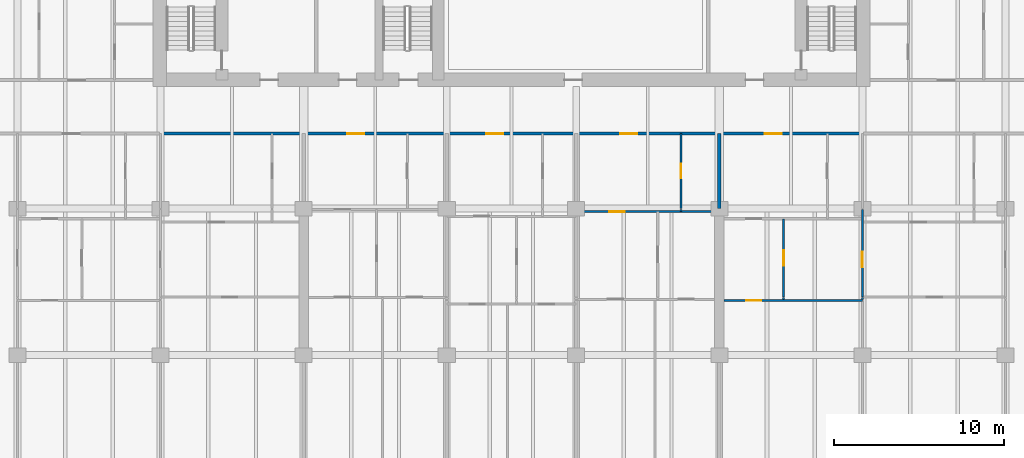
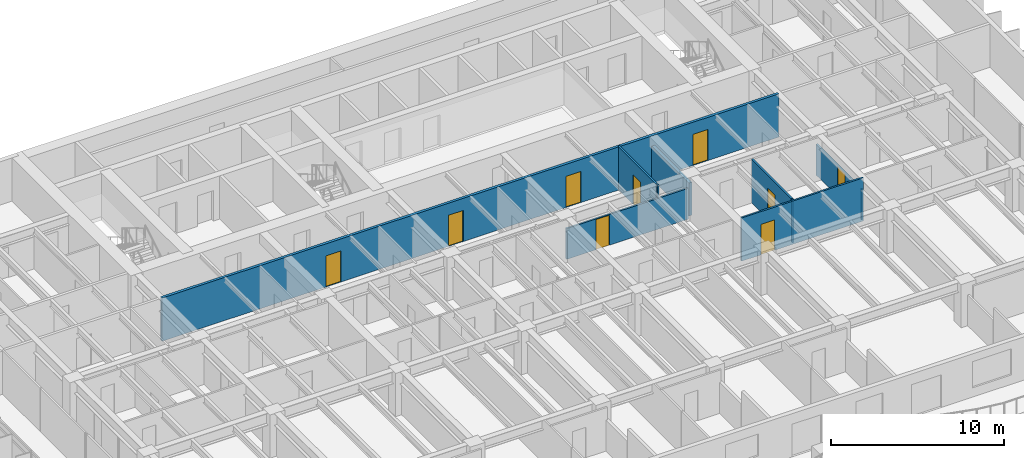
# One storey, part 10 of 19: 10 walls, 9 doors, 9 openings.
"""IFC4 building model written with IfcOpenShell, lengths in metres."""

from ifc_helpers import new_model, si_unit, direction, frame, frame_2d, origin, place, context, subcontext, project, spatial, rectangle, extrude, material, layer, layer_set, type_object, element, fill, save


model = new_model("IFC4")

# Units and contexts
model_context = context("Model", 3, precision=1e-05, world=origin(), true_north=direction((0.0, 1.0)))
body_context = subcontext(model_context, "Body", "Model", "MODEL_VIEW")
ifc_project = project(units=[si_unit("LENGTHUNIT", "METRE"), si_unit("AREAUNIT", "SQUARE_METRE"), si_unit("VOLUMEUNIT", "CUBIC_METRE"), si_unit("PLANEANGLEUNIT", "RADIAN"), si_unit("MASSUNIT", "GRAM", prefix="KILO")], contexts=[model_context])

# Site, building, storey
site_placement = place(None, origin())
site = spatial("IfcSite", under=ifc_project, at=site_placement, CompositionType="ELEMENT")
building_placement = place(site_placement, origin())
building = spatial("IfcBuilding", under=site, at=building_placement, Name="Caelmar Bay Residences", CompositionType="ELEMENT")
storey_placement = place(building_placement, frame((0.0, 0.0, 91.199951171875)))
storey = spatial("IfcBuildingStorey", under=building, at=storey_placement, Name="L24", CompositionType="ELEMENT", Elevation=91.199951171875)

# Wall, openings, doors
ifc_material_1 = material(Name="Double-stud acoustic fire-rated gypsum partition 180 mm")
ifc_layer_1 = layer(ifc_material_1, 0.179931640625)
ifc_layer_set_1 = layer_set([ifc_layer_1], Name="Double-stud acoustic fire-rated gypsum partition 180 mm")
wall_type_1 = type_object("IfcWallType", Name="W-COR-200", PredefinedType="PARTITIONING", material=ifc_layer_set_1)
wall_1_placement = place(storey_placement, frame((18.300048828125, 33.800048828125, 0.0), z_axis=(0.0, 0.0, 1.0), x_axis=(1.0, 0.0, 0.0)))
wall_1 = element("IfcWall", 1, at=wall_1_placement, inside=storey, type_object=wall_type_1, Name="L24 Partition Wall H120", PredefinedType="PARTITIONING", context=body_context, shape_type="SweptSolid", body=[
    extrude(rectangle(XDim=41.199951171875, YDim=0.179931640625, at=frame_2d((20.60009765625, 0.0))), origin(), (0.0, 0.0, 1.0), 3.050048828125),
])
opening_1_placement = place(wall_1_placement, frame((10.945556640625, 0.0, 0.0)))
opening_1 = element("IfcOpeningElement", 2, at=opening_1_placement, cuts=wall_1, Name="Opening D-L24-130", PredefinedType="OPENING", context=body_context, shape_type="SweptSolid", body=[
    extrude(rectangle(XDim=1.0, YDim=2.199951171875, at=frame_2d((0.5, 1.10009765625))), frame((0.0, 0.099853515625, 0.0), z_axis=(0.0, -1.0, 0.0), x_axis=(1.0, 0.0, 0.0)), (0.0, 0.0, 1.0), 0.199951171875),
])
opening_2_placement = place(wall_1_placement, frame((19.112548828125, 0.0, 0.0)))
opening_2 = element("IfcOpeningElement", 3, at=opening_2_placement, cuts=wall_1, Name="Opening D-L24-137", PredefinedType="OPENING", context=body_context, shape_type="SweptSolid", body=[
    extrude(rectangle(XDim=1.0, YDim=2.199951171875, at=frame_2d((0.5, 1.10009765625))), frame((0.0, 0.099853515625, 0.0), z_axis=(0.0, -1.0, 0.0), x_axis=(1.0, 0.0, 0.0)), (0.0, 0.0, 1.0), 0.199951171875),
])
opening_3_placement = place(wall_1_placement, frame((26.9755859375, 0.0, 0.0)))
opening_3 = element("IfcOpeningElement", 4, at=opening_3_placement, cuts=wall_1, Name="Opening D-L24-144", PredefinedType="OPENING", context=body_context, shape_type="SweptSolid", body=[
    extrude(rectangle(XDim=1.0, YDim=2.199951171875, at=frame_2d((0.5, 1.10009765625))), frame((0.0, 0.099853515625, 0.0), z_axis=(0.0, -1.0, 0.0), x_axis=(1.0, 0.0, 0.0)), (0.0, 0.0, 1.0), 0.199951171875),
])
opening_4_placement = place(wall_1_placement, frame((35.469970703125, 0.0, 0.0)))
opening_4 = element("IfcOpeningElement", 5, at=opening_4_placement, cuts=wall_1, Name="Opening D-L24-151", PredefinedType="OPENING", context=body_context, shape_type="SweptSolid", body=[
    extrude(rectangle(XDim=1.0, YDim=2.199951171875, at=frame_2d((0.5, 1.10009765625))), frame((0.0, 0.099853515625, 0.0), z_axis=(0.0, -1.0, 0.0), x_axis=(1.0, 0.0, 0.0)), (0.0, 0.0, 1.0), 0.199951171875),
])
ifc_material_2 = material(Name="Fire-rated steel and walnut architectural door assembly", Category="steel")
ifc_layer_2 = layer(ifc_material_2, 0.050048828125)
ifc_layer_set_2 = layer_set([ifc_layer_2], Name="Fire-rated steel and walnut architectural door assembly")
door_type_1 = type_object("IfcDoorType", Name="D-UNIT-1000", OperationType="NOTDEFINED", PredefinedType="DOOR", material=ifc_layer_set_2)
door_1_placement = place(opening_1_placement, origin())
door_1 = element("IfcDoor", 6, at=door_1_placement, inside=storey, type_object=door_type_1, Name="L24 Residence 02 Apartment Hall Door", OperationType="SINGLE_SWING_LEFT", OverallHeight=2.199951171875, OverallWidth=1.0, PredefinedType="DOOR", context=body_context, shape_type="SweptSolid", body=[
    extrude(rectangle(XDim=1.0, YDim=2.199951171875, at=frame_2d((0.5, 1.10009765625))), frame((0.0, 0.02490234375, 0.0), z_axis=(0.0, -1.0, 0.0), x_axis=(1.0, 0.0, 0.0)), (0.0, 0.0, 1.0), 0.050048828125),
])
fill(opening_1, door_1)
door_2_placement = place(opening_2_placement, origin())
door_2 = element("IfcDoor", 7, at=door_2_placement, inside=storey, type_object=door_type_1, Name="L24 Residence 03 Apartment Hall Door", OperationType="SINGLE_SWING_RIGHT", OverallHeight=2.199951171875, OverallWidth=1.0, PredefinedType="DOOR", context=body_context, shape_type="SweptSolid", body=[
    extrude(rectangle(XDim=1.0, YDim=2.199951171875, at=frame_2d((0.5, 1.10009765625))), frame((0.0, 0.02490234375, 0.0), z_axis=(0.0, -1.0, 0.0), x_axis=(1.0, 0.0, 0.0)), (0.0, 0.0, 1.0), 0.050048828125),
])
fill(opening_2, door_2)
door_3_placement = place(opening_3_placement, origin())
door_3 = element("IfcDoor", 8, at=door_3_placement, inside=storey, type_object=door_type_1, Name="L24 Residence 04 Apartment Hall Door", OperationType="SINGLE_SWING_LEFT", OverallHeight=2.199951171875, OverallWidth=1.0, PredefinedType="DOOR", context=body_context, shape_type="SweptSolid", body=[
    extrude(rectangle(XDim=1.0, YDim=2.199951171875, at=frame_2d((0.5, 1.10009765625))), frame((0.0, 0.02490234375, 0.0), z_axis=(0.0, -1.0, 0.0), x_axis=(1.0, 0.0, 0.0)), (0.0, 0.0, 1.0), 0.050048828125),
])
fill(opening_3, door_3)
door_4_placement = place(opening_4_placement, origin())
door_4 = element("IfcDoor", 9, at=door_4_placement, inside=storey, type_object=door_type_1, Name="L24 Residence 05 Apartment Hall Door", OperationType="SINGLE_SWING_RIGHT", OverallHeight=2.199951171875, OverallWidth=1.0, PredefinedType="DOOR", context=body_context, shape_type="SweptSolid", body=[
    extrude(rectangle(XDim=1.0, YDim=2.199951171875, at=frame_2d((0.5, 1.10009765625))), frame((0.0, 0.02490234375, 0.0), z_axis=(0.0, -1.0, 0.0), x_axis=(1.0, 0.0, 0.0)), (0.0, 0.0, 1.0), 0.050048828125),
])
fill(opening_4, door_4)

# Wall
ifc_material_3 = material(Name="Acoustic metal-stud gypsum partition 120 mm")
ifc_layer_3 = layer(ifc_material_3, 0.1201171875)
ifc_layer_set_3 = layer_set([ifc_layer_3], Name="Acoustic metal-stud gypsum partition 120 mm")
wall_type_2 = type_object("IfcWallType", Name="W-PRT-120", PredefinedType="PARTITIONING", material=ifc_layer_set_3)
wall_2_placement = place(storey_placement, frame((48.85107421875, 29.219970703125, 0.0), z_axis=(0.0, 0.0, 1.0), x_axis=(0.0, 1.0, 0.0)))
element("IfcWall", 10, at=wall_2_placement, inside=storey, type_object=wall_type_2, Name="L24 Partition Wall V065", PredefinedType="PARTITIONING", context=body_context, shape_type="SweptSolid", body=[
    extrude(rectangle(XDim=0.1201171875, YDim=0.1201171875, at=frame_2d((0.06005859375, 0.0))), origin(), (0.0, 0.0, 1.0), 3.050048828125),
])

# Wall, opening, door
wall_3_placement = place(storey_placement, frame((48.85107421875, 29.39990234375, 0.0), z_axis=(0.0, 0.0, 1.0), x_axis=(0.0, 1.0, 0.0)))
wall_3 = element("IfcWall", 11, at=wall_3_placement, inside=storey, type_object=wall_type_2, Name="L24 Partition Wall V066", PredefinedType="PARTITIONING", context=body_context, shape_type="SweptSolid", body=[
    extrude(rectangle(XDim=4.400146484375, YDim=0.1201171875, at=frame_2d((2.2001953125, 0.0))), origin(), (0.0, 0.0, 1.0), 3.050048828125),
])
opening_5_placement = place(wall_3_placement, frame((1.77490234375, 0.0, 0.0)))
opening_5 = element("IfcOpeningElement", 12, at=opening_5_placement, cuts=wall_3, Name="Opening D-L24-145", PredefinedType="OPENING", context=body_context, shape_type="SweptSolid", body=[
    extrude(rectangle(XDim=0.85009765625, YDim=2.10009765625, at=frame_2d((0.425048828125, 1.050048828125))), frame((0.0, 0.070068359375, 0.0), z_axis=(0.0, -1.0, 0.0), x_axis=(1.0, 0.0, 0.0)), (0.0, 0.0, 1.0), 0.14013671875),
])
ifc_material_4 = material(Name="Solid walnut timber interior door leaf and frame", Category="wood")
ifc_layer_4 = layer(ifc_material_4, 0.050048828125)
ifc_layer_set_4 = layer_set([ifc_layer_4], Name="Solid walnut timber interior door leaf and frame")
door_type_2 = type_object("IfcDoorType", Name="D-BATH-850", OperationType="NOTDEFINED", PredefinedType="DOOR", material=ifc_layer_set_4)
door_5_placement = place(opening_5_placement, origin())
door_5 = element("IfcDoor", 13, at=door_5_placement, inside=storey, type_object=door_type_2, Name="L24 Residence 04 Bathroom Door", OperationType="SINGLE_SWING_RIGHT", OverallHeight=2.10009765625, OverallWidth=0.85009765625, PredefinedType="DOOR", context=body_context, shape_type="SweptSolid", body=[
    extrude(rectangle(XDim=0.85009765625, YDim=2.10009765625, at=frame_2d((0.425048828125, 1.050048828125))), frame((0.0, 0.02490234375, 0.0), z_axis=(0.0, -1.0, 0.0), x_axis=(1.0, 0.0, 0.0)), (0.0, 0.0, 1.0), 0.050048828125),
])
fill(opening_5, door_5)

# Wall
wall_4_placement = place(storey_placement, frame((54.8798828125, 24.070068359375, 0.0), z_axis=(0.0, 0.0, 1.0), x_axis=(0.0, 1.0, 0.0)))
element("IfcWall", 14, at=wall_4_placement, inside=storey, type_object=wall_type_2, Name="L24 Partition Wall V073", PredefinedType="PARTITIONING", context=body_context, shape_type="SweptSolid", body=[
    extrude(rectangle(XDim=0.119873046875, YDim=0.1201171875, at=frame_2d((0.06005859375, 0.0))), origin(), (0.0, 0.0, 1.0), 3.050048828125),
])

# Wall, opening, door
wall_5_placement = place(storey_placement, frame((54.8798828125, 24.199951171875, 0.0), z_axis=(0.0, 0.0, 1.0), x_axis=(0.0, 1.0, 0.0)))
wall_5 = element("IfcWall", 15, at=wall_5_placement, inside=storey, type_object=wall_type_2, Name="L24 Partition Wall V074", PredefinedType="PARTITIONING", context=body_context, shape_type="SweptSolid", body=[
    extrude(rectangle(XDim=4.60009765625, YDim=0.1201171875, at=frame_2d((2.300048828125, 0.0))), origin(), (0.0, 0.0, 1.0), 3.050048828125),
])
opening_6_placement = place(wall_5_placement, frame((1.85009765625, 0.0, 0.0)))
opening_6 = element("IfcOpeningElement", 16, at=opening_6_placement, cuts=wall_5, Name="Opening D-L24-154", PredefinedType="OPENING", context=body_context, shape_type="SweptSolid", body=[
    extrude(rectangle(XDim=0.89990234375, YDim=2.14990234375, at=frame_2d((0.449951171875, 1.074951171875))), frame((0.0, 0.070068359375, 0.0), z_axis=(0.0, -1.0, 0.0), x_axis=(1.0, 0.0, 0.0)), (0.0, 0.0, 1.0), 0.14013671875),
])
ifc_layer_5 = layer(ifc_material_4, 0.050048828125)
ifc_layer_set_5 = layer_set([ifc_layer_5], Name="Solid walnut timber interior door leaf and frame")
door_type_3 = type_object("IfcDoorType", Name="D-ROOM-900", OperationType="NOTDEFINED", PredefinedType="DOOR", material=ifc_layer_set_5)
door_6_placement = place(opening_6_placement, origin())
door_6 = element("IfcDoor", 17, at=door_6_placement, inside=storey, type_object=door_type_3, Name="L24 Residence 05 Kitchen Door", OperationType="SINGLE_SWING_LEFT", OverallHeight=2.14990234375, OverallWidth=0.89990234375, PredefinedType="DOOR", context=body_context, shape_type="SweptSolid", body=[
    extrude(rectangle(XDim=0.89990234375, YDim=2.14990234375, at=frame_2d((0.449951171875, 1.074951171875))), frame((0.0, 0.02490234375, 0.0), z_axis=(0.0, -1.0, 0.0), x_axis=(1.0, 0.0, 0.0)), (0.0, 0.0, 1.0), 0.050048828125),
])
fill(opening_6, door_6)

# Wall
wall_6_placement = place(storey_placement, frame((59.5, 24.070068359375, 0.0), z_axis=(0.0, 0.0, 1.0), x_axis=(0.0, 1.0, 0.0)))
element("IfcWall", 18, at=wall_6_placement, inside=storey, type_object=wall_type_2, Name="L24 Partition Wall V080", PredefinedType="PARTITIONING", context=body_context, shape_type="SweptSolid", body=[
    extrude(rectangle(XDim=0.119873046875, YDim=0.1201171875, at=frame_2d((0.06005859375, 0.0))), origin(), (0.0, 0.0, 1.0), 2.174072265625),
])

# Wall, opening, door
wall_7_placement = place(storey_placement, frame((59.5, 24.199951171875, 0.0), z_axis=(0.0, 0.0, 1.0), x_axis=(0.0, 1.0, 0.0)))
wall_7 = element("IfcWall", 19, at=wall_7_placement, inside=storey, type_object=wall_type_2, Name="L24 Partition Wall V081", PredefinedType="PARTITIONING", context=body_context, shape_type="SweptSolid", body=[
    extrude(rectangle(XDim=5.14013671875, YDim=0.1201171875, at=frame_2d((2.570068359375, 0.0))), origin(), (0.0, 0.0, 1.0), 2.174072265625),
])
opening_7_placement = place(wall_7_placement, frame((1.75, 0.0, 0.0)))
opening_7 = element("IfcOpeningElement", 20, at=opening_7_placement, cuts=wall_7, Name="Opening D-L24-156", PredefinedType="OPENING", context=body_context, shape_type="SweptSolid", body=[
    extrude(rectangle(XDim=0.89990234375, YDim=2.1240234375, at=frame_2d((0.449951171875, 1.06201171875))), frame((0.0, 0.070068359375, 0.0), z_axis=(0.0, -1.0, 0.0), x_axis=(1.0, 0.0, 0.0)), (0.0, 0.0, 1.0), 0.14013671875),
])
door_7_placement = place(opening_7_placement, origin())
door_7 = element("IfcDoor", 21, at=door_7_placement, inside=storey, type_object=door_type_3, Name="L24 Residence 05 Library Study 1 Door", OperationType="SINGLE_SWING_LEFT", OverallHeight=2.1240234375, OverallWidth=0.89990234375, PredefinedType="DOOR", context=body_context, shape_type="SweptSolid", body=[
    extrude(rectangle(XDim=0.89990234375, YDim=2.1240234375, at=frame_2d((0.449951171875, 1.06201171875))), frame((0.0, 0.02490234375, 0.0), z_axis=(0.0, -1.0, 0.0), x_axis=(1.0, 0.0, 0.0)), (0.0, 0.0, 1.0), 0.050048828125),
])
fill(opening_7, door_7)

wall_8_placement = place(storey_placement, frame((51.3701171875, 24.0, 0.0), z_axis=(0.0, 0.0, 1.0), x_axis=(1.0, 0.0, 0.0)))
wall_8 = element("IfcWall", 22, at=wall_8_placement, inside=storey, type_object=wall_type_2, Name="L24 Partition Wall H106", PredefinedType="PARTITIONING", context=body_context, shape_type="SweptSolid", body=[
    extrude(rectangle(XDim=8.1298828125, YDim=0.1201171875, at=frame_2d((4.06494140625, 0.0))), origin(), (0.0, 0.0, 1.0), 3.050048828125),
])
opening_8_placement = place(wall_8_placement, frame((1.304931640625, 0.0, 0.0)))
opening_8 = element("IfcOpeningElement", 23, at=opening_8_placement, cuts=wall_8, Name="Opening D-L24-155", PredefinedType="OPENING", context=body_context, shape_type="SweptSolid", body=[
    extrude(rectangle(XDim=0.89990234375, YDim=2.14990234375, at=frame_2d((0.449951171875, 1.074951171875))), frame((0.0, 0.070068359375, 0.0), z_axis=(0.0, -1.0, 0.0), x_axis=(1.0, 0.0, 0.0)), (0.0, 0.0, 1.0), 0.14013671875),
])
door_8_placement = place(opening_8_placement, origin())
door_8 = element("IfcDoor", 24, at=door_8_placement, inside=storey, type_object=door_type_3, Name="L24 Residence 05 Penthouse Living Salon Door", OperationType="SINGLE_SWING_RIGHT", OverallHeight=2.14990234375, OverallWidth=0.89990234375, PredefinedType="DOOR", context=body_context, shape_type="SweptSolid", body=[
    extrude(rectangle(XDim=0.89990234375, YDim=2.14990234375, at=frame_2d((0.449951171875, 1.074951171875))), frame((0.0, 0.02490234375, 0.0), z_axis=(0.0, -1.0, 0.0), x_axis=(1.0, 0.0, 0.0)), (0.0, 0.0, 1.0), 0.050048828125),
])
fill(opening_8, door_8)

wall_9_placement = place(storey_placement, frame((42.699951171875, 29.219970703125, 0.0), z_axis=(0.0, 0.0, 1.0), x_axis=(1.0, 0.0, 0.0)))
wall_9 = element("IfcWall", 25, at=wall_9_placement, inside=storey, type_object=wall_type_2, Name="L24 Partition Wall H116", PredefinedType="PARTITIONING", context=body_context, shape_type="SweptSolid", body=[
    extrude(rectangle(XDim=8.130126953125, YDim=0.1201171875, at=frame_2d((4.06494140625, 0.0))), origin(), (0.0, 0.0, 1.0), 2.174072265625),
])
opening_9_placement = place(wall_9_placement, frame((1.943115234375, 0.0, 0.0)))
opening_9 = element("IfcOpeningElement", 26, at=opening_9_placement, cuts=wall_9, Name="Opening D-L24-146", PredefinedType="OPENING", context=body_context, shape_type="SweptSolid", body=[
    extrude(rectangle(XDim=0.89990234375, YDim=2.1240234375, at=frame_2d((0.449951171875, 1.06201171875))), frame((0.0, 0.070068359375, 0.0), z_axis=(0.0, -1.0, 0.0), x_axis=(1.0, 0.0, 0.0)), (0.0, 0.0, 1.0), 0.14013671875),
])
door_9_placement = place(opening_9_placement, origin())
door_9 = element("IfcDoor", 27, at=door_9_placement, inside=storey, type_object=door_type_3, Name="L24 Residence 04 Kitchen Door", OperationType="SINGLE_SWING_LEFT", OverallHeight=2.1240234375, OverallWidth=0.89990234375, PredefinedType="DOOR", context=body_context, shape_type="SweptSolid", body=[
    extrude(rectangle(XDim=0.89990234375, YDim=2.1240234375, at=frame_2d((0.449951171875, 1.06201171875))), frame((0.0, 0.02490234375, 0.0), z_axis=(0.0, -1.0, 0.0), x_axis=(1.0, 0.0, 0.0)), (0.0, 0.0, 1.0), 0.050048828125),
])
fill(opening_9, door_9)

# Wall
ifc_material_5 = material(Name="Acoustic twin-stud fire-rated inter-tenancy partition 200 mm")
ifc_layer_6 = layer(ifc_material_5, 0.199951171875)
ifc_layer_set_6 = layer_set([ifc_layer_6], Name="Acoustic twin-stud fire-rated inter-tenancy partition 200 mm")
wall_type_3 = type_object("IfcWallType", Name="W-PTY-200", PredefinedType="PARTITIONING", material=ifc_layer_set_6)
wall_10_placement = place(storey_placement, frame((51.10009765625, 29.405029296875, 0.0), z_axis=(0.0, 0.0, 1.0), x_axis=(0.0, 1.0, 0.0)))
element("IfcWall", 28, at=wall_10_placement, inside=storey, type_object=wall_type_3, Name="L24 Partition Wall V071", PredefinedType="PARTITIONING", context=body_context, shape_type="SweptSolid", body=[
    extrude(rectangle(XDim=4.39501953125, YDim=0.199951171875, at=frame_2d((2.197509765625, 0.0))), origin(), (0.0, 0.0, 1.0), 2.3349609375),
])

save(model, "model.ifc")
